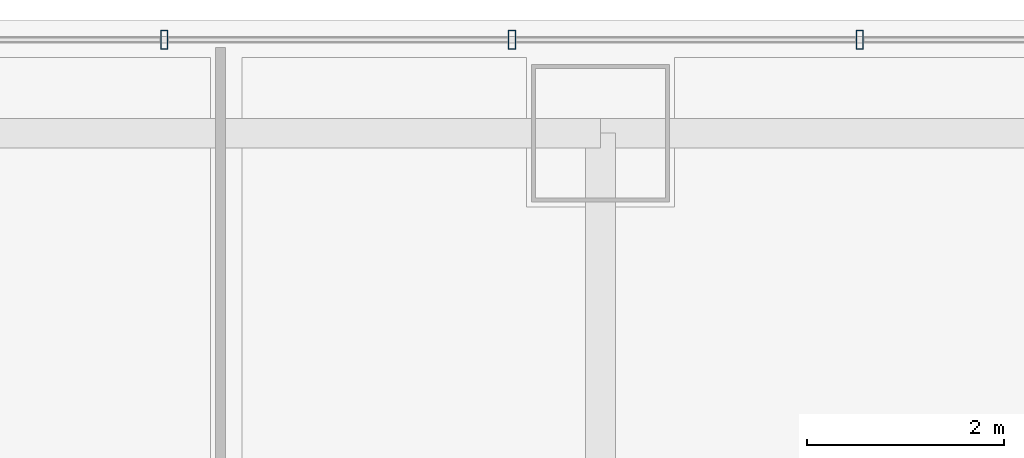
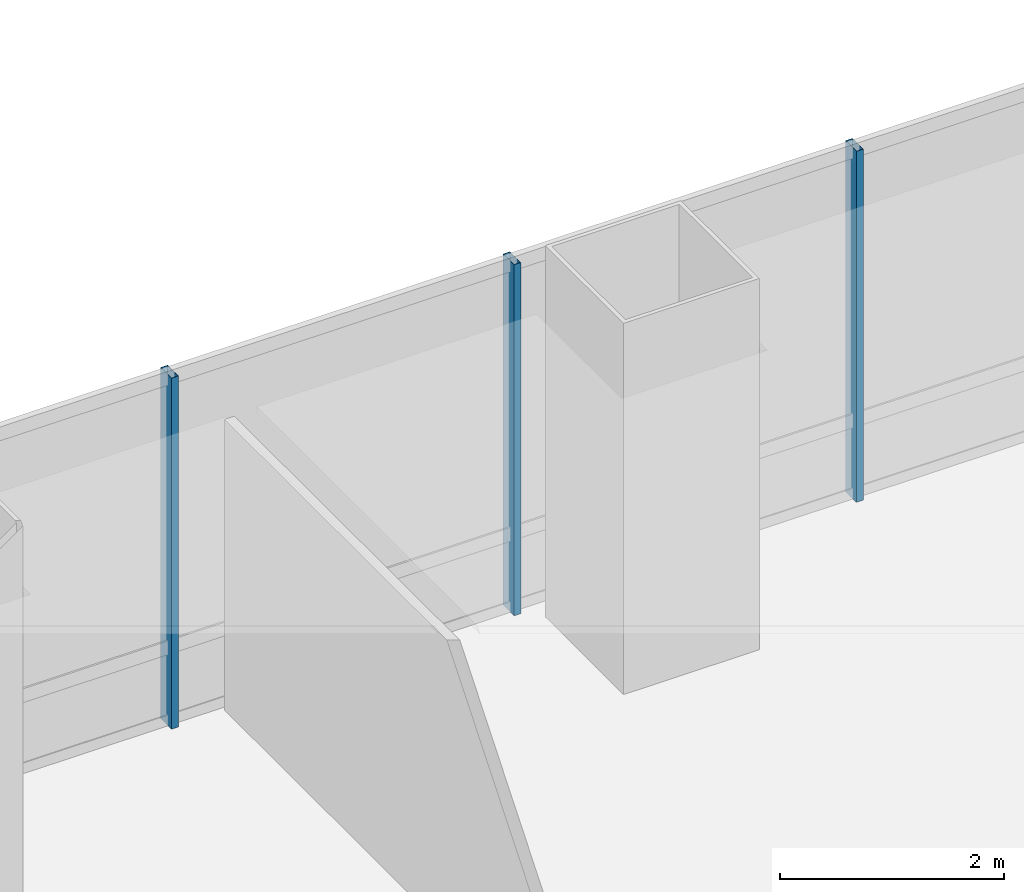
# One storey, part 24 of 37: 3 members, 1 element without a shape of its own.
"""IFC4 building model written with IfcOpenShell, lengths in metres."""

import ifcopenshell
import ifcopenshell.guid

model = None  # the IFC model being written
_history = None  # IfcOwnerHistory: only IFC2X3 demands one
_inside = {}  # id of a spatial element -> (the spatial element, [elements in it])
_under = {}  # id of a project, library or spatial element -> (it, [spatial elements below it])
_declared = {}  # id of a project -> (the project, [libraries it declares])
_typed = {}  # id of a type object -> (the type object, [elements of that type])
_made_of = {}  # id of a material, layer set ... -> (it, [elements and type objects made of it])


def new_model(schema):
    """Start an empty IFC model of exactly this schema.

    Asked for "IFC4X3", IfcOpenShell would pick the latest addendum, in which some entities
    have other attributes; the version numbers below select the first issue.
    IFC2X3 requires an IfcOwnerHistory on every rooted entity: one is made here for all.
    """
    global model, _history
    if schema == "IFC4X3":
        model = ifcopenshell.file(schema_version=(4, 3, 0, 0))
    else:
        model = ifcopenshell.file(schema=schema)
    _inside.clear()
    _under.clear()
    _declared.clear()
    _typed.clear()
    _made_of.clear()
    _history = None
    if model.schema == "IFC2X3":
        org = make("IfcOrganization", Name="unknown")
        user = make(
            "IfcPersonAndOrganization",
            ThePerson=make("IfcPerson", FamilyName="unknown"),
            TheOrganization=org,
        )
        app = make(
            "IfcApplication",
            ApplicationDeveloper=org,
            Version="unknown",
            ApplicationFullName="unknown",
            ApplicationIdentifier="unknown",
        )
        _history = make(
            "IfcOwnerHistory",
            OwningUser=user,
            OwningApplication=app,
            ChangeAction="ADDED",
            CreationDate=0,
        )
    return model


def make(cls, **values):
    """One entity of the class cls with the attributes given. An attribute that is None is left unset."""
    return model.create_entity(
        cls, **{name: value for name, value in values.items() if value is not None}
    )


def rooted(cls, **values):
    """An entity with a GlobalId (a new one), such as an element, a storey or a relation."""
    return make(cls, GlobalId=ifcopenshell.guid.new(), OwnerHistory=_history, **values)


def si_unit(unit_type, name, prefix=None):
    """IfcSIUnit, for example si_unit("LENGTHUNIT", "METRE", prefix="MILLI")."""
    return make("IfcSIUnit", UnitType=unit_type, Prefix=prefix, Name=name)


def assignment(units):
    """IfcUnitAssignment: the units of a project."""
    return None if units is None else make("IfcUnitAssignment", Units=units)


def point(xyz):
    """IfcCartesianPoint."""
    return None if xyz is None else make("IfcCartesianPoint", Coordinates=xyz)


def direction(xyz):
    """IfcDirection."""
    return None if xyz is None else make("IfcDirection", DirectionRatios=xyz)


def frame(location, z_axis=None, x_axis=None):
    """IfcAxis2Placement3D, a coordinate frame: its origin and axes. An axis left out is left unset."""
    return make(
        "IfcAxis2Placement3D",
        Location=point(location),
        Axis=direction(z_axis),
        RefDirection=direction(x_axis),
    )


def frame_2d(location, x_axis=None):
    """IfcAxis2Placement2D, a coordinate frame in the plane: its origin and x axis."""
    return make(
        "IfcAxis2Placement2D", Location=point(location), RefDirection=direction(x_axis)
    )


def origin():
    """The frame at (0, 0, 0) with its axes left unset."""
    return frame((0.0, 0.0, 0.0))


def origin_2d():
    """The frame at (0, 0) in the plane with its x axis left unset."""
    return frame_2d((0.0, 0.0))


def place(relative_to, where):
    """IfcLocalPlacement: puts the frame where relative to a parent placement (None: the world)."""
    return make(
        "IfcLocalPlacement", PlacementRelTo=relative_to, RelativePlacement=where
    )


def context(
    kind, dimensions, precision=None, world=None, true_north=None, identifier=None
):
    """IfcGeometricRepresentationContext, for example the 3D "Model" context."""
    return make(
        "IfcGeometricRepresentationContext",
        ContextIdentifier=identifier,
        ContextType=kind,
        CoordinateSpaceDimension=dimensions,
        Precision=precision,
        WorldCoordinateSystem=world,
        TrueNorth=true_north,
    )


def subcontext(parent, identifier, kind, view, scale=None):
    """IfcGeometricRepresentationSubContext, for example "Body" below "Model"."""
    return make(
        "IfcGeometricRepresentationSubContext",
        ContextIdentifier=identifier,
        ContextType=kind,
        ParentContext=parent,
        TargetScale=scale,
        TargetView=view,
    )


def project(units=None, contexts=None):
    """IfcProject with its units and contexts."""
    return rooted(
        "IfcProject",
        Name="project",
        RepresentationContexts=contexts,
        UnitsInContext=assignment(units),
    )


def spatial(cls, under=None, at=None, **own):
    """A site, building, storey or space (cls), placed at a placement, below another one or the project."""
    s = rooted(cls, ObjectPlacement=at, **own)
    if under is not None:
        _under.setdefault(under.id(), (under, []))[1].append(s)
    return s


def profile(cls, at=None, kind="AREA", **sizes):
    """A parametric profile (cls). Its sizes go by their IFC names, for example OverallWidth=200.0."""
    return make(cls, ProfileType=kind, Position=at, **sizes)


def hollow_rectangle(**sizes):
    """IfcRectangleHollowProfileDef."""
    return profile("IfcRectangleHollowProfileDef", **sizes)


def extrude(swept, where, along, depth):
    """IfcExtrudedAreaSolid: the profile swept, set in the frame where, extruded along a direction by depth."""
    return make(
        "IfcExtrudedAreaSolid",
        SweptArea=swept,
        Position=where,
        ExtrudedDirection=direction(along),
        Depth=depth,
    )


def shape(context_of_items, identifier, shape_type, items):
    """IfcShapeRepresentation: the items that make up one representation, for example the "Body"."""
    return make(
        "IfcShapeRepresentation",
        ContextOfItems=context_of_items,
        RepresentationIdentifier=identifier,
        RepresentationType=shape_type,
        Items=items,
    )


def material(Name=None, Category=None):
    """IfcMaterial."""
    return make("IfcMaterial", Name=Name, Category=Category)


def material_profile(
    of_material, cross_section, Name=None, Category=None, Priority=None
):
    """IfcMaterialProfile: a cross section and its material."""
    return make(
        "IfcMaterialProfile",
        Name=Name,
        Material=of_material,
        Profile=cross_section,
        Priority=Priority,
        Category=Category,
    )


def profile_set(profiles, Name=None, composite=None):
    """IfcMaterialProfileSet."""
    return make(
        "IfcMaterialProfileSet",
        Name=Name,
        MaterialProfiles=profiles,
        CompositeProfile=composite,
    )


def made_of(thing, what):
    """Note that an element or type object is made of a material, layer set ...; save() writes the relation."""
    if what is not None:
        _made_of.setdefault(what.id(), (what, []))[1].append(thing)
    return thing


def type_object(cls, material=None, **own):
    """A type object (cls), such as IfcWallType, which elements share."""
    return made_of(rooted(cls, **own), material)


def element(
    cls,
    number,
    at=None,
    inside=None,
    cuts=None,
    type_object=None,
    material=None,
    context=None,
    identifier="Body",
    shape_type=None,
    held_by="IfcProductDefinitionShape",
    body=None,
    shapes=None,
    **own,
):
    """One element of the class cls, such as IfcWall. Its Tag is "e" and its number.

    at: its placement. inside: the storey or other place that contains it. cuts: it is an
    opening in that element (IfcRelVoidsElement). A single representation is given by context,
    identifier, shape_type and body (its items); several are given by shapes. held_by: the class
    of the entity that holds the representations. save() writes the other relations.
    """
    e = rooted(cls, Tag="e%d" % number, ObjectPlacement=at, **own)
    if body is not None:
        shapes = [shape(context, identifier, shape_type, body)]
    if shapes is not None:
        e.Representation = make(held_by, Representations=shapes)
    if inside is not None:
        _inside.setdefault(inside.id(), (inside, []))[1].append(e)
    if cuts is not None:
        rooted(
            "IfcRelVoidsElement", RelatingBuildingElement=cuts, RelatedOpeningElement=e
        )
    if type_object is not None:
        _typed.setdefault(type_object.id(), (type_object, []))[1].append(e)
    return made_of(e, material)


def aggregate(whole, parts):
    """IfcRelAggregates: a whole, such as a stair, and the parts it consists of."""
    return rooted("IfcRelAggregates", RelatingObject=whole, RelatedObjects=parts)


def save(model, path):
    """Write the relations noted so far, then the file.

    IfcRelAggregates (storeys below a building ...), IfcRelContainedInSpatialStructure (elements
    in a storey), IfcRelDefinesByType, IfcRelAssociatesMaterial and IfcRelDeclares: one each for
    every whole, place, type object, material and project.
    """
    for whole, parts in _under.values():
        aggregate(whole, parts)
    for where, things in _inside.values():
        rooted(
            "IfcRelContainedInSpatialStructure",
            RelatedElements=things,
            RelatingStructure=where,
        )
    for kind, things in _typed.values():
        rooted("IfcRelDefinesByType", RelatedObjects=things, RelatingType=kind)
    for what, things in _made_of.values():
        rooted("IfcRelAssociatesMaterial", RelatedObjects=things, RelatingMaterial=what)
    for by, libraries in _declared.values():
        rooted("IfcRelDeclares", RelatingContext=by, RelatedDefinitions=libraries)
    model.write(path)


model = new_model("IFC4")

# Units and contexts
model_context = context("Model", 3, precision=1e-05, world=origin(), true_north=direction((0.0, 1.0)))
body_context = subcontext(model_context, "Body", "Model", "MODEL_VIEW")
ifc_project = project(units=[si_unit("LENGTHUNIT", "METRE"), si_unit("AREAUNIT", "SQUARE_METRE"), si_unit("VOLUMEUNIT", "CUBIC_METRE"), si_unit("PLANEANGLEUNIT", "RADIAN"), si_unit("MASSUNIT", "GRAM", prefix="KILO")], contexts=[model_context])

# Site, building, storey
site_placement = place(None, origin())
site = spatial("IfcSite", under=ifc_project, at=site_placement, CompositionType="ELEMENT")
building_placement = place(site_placement, origin())
building = spatial("IfcBuilding", under=site, at=building_placement, Name="Punatoya Terracotta Tower", CompositionType="ELEMENT")
storey_placement = place(building_placement, frame((0.0, 0.0, 192.449951171875)))
storey = spatial("IfcBuildingStorey", under=building, at=storey_placement, Name="L45", CompositionType="ELEMENT", Elevation=192.449951171875)

# Curtain wall, members
ifc_material_1 = material(Name="Aluminium 6063-T6 + Double Low-E Glass", Category="aluminium")
curtain_wall_type = type_object("IfcCurtainWallType", Name="CW-M2", PredefinedType="NOTDEFINED", material=ifc_material_1)
curtain_wall_placement = place(storey_placement, origin())
curtain_wall = element("IfcCurtainWall", 1, at=curtain_wall_placement, inside=storey, type_object=curtain_wall_type, Name="L45 Curtain Wall CW-L45-N09-1", PredefinedType="NOTDEFINED")
ifc_material_2 = material(Name="Aluminium 6063-T6", Category="aluminium")
ifc_material_profile = material_profile(ifc_material_2, hollow_rectangle(XDim=0.072021484375, YDim=0.195068359375, WallThickness=0.00439453125, at=origin_2d()))
ifc_profile_set = profile_set([ifc_material_profile], Name="Aluminium 6063-T6")
member_type = type_object("IfcMemberType", Name="CW-MUL-M2", PredefinedType="MULLION", material=ifc_profile_set)
member_1_placement = place(storey_placement, frame((6.43505859375, 18.449951171875, 0.0), z_axis=(0.0, 0.0, 1.0), x_axis=(1.0, 0.0, 0.0)))
member_1 = element("IfcMember", 2, at=member_1_placement, type_object=member_type, Name="CW-L45-N09-1 Mullion 03", PredefinedType="MULLION", context=body_context, shape_type="SweptSolid", body=[
    extrude(hollow_rectangle(XDim=0.072021484375, YDim=0.195068359375, WallThickness=0.00439453125, at=origin_2d()), origin(), (0.0, 0.0, 1.0), 3.830078125),
])
member_2_placement = place(storey_placement, frame((2.90087890625, 18.449951171875, 0.0), z_axis=(0.0, 0.0, 1.0), x_axis=(1.0, 0.0, 0.0)))
member_2 = element("IfcMember", 3, at=member_2_placement, type_object=member_type, Name="CW-L45-N09-1 Mullion 04", PredefinedType="MULLION", context=body_context, shape_type="SweptSolid", body=[
    extrude(hollow_rectangle(XDim=0.072021484375, YDim=0.195068359375, WallThickness=0.00439453125, at=origin_2d()), origin(), (0.0, 0.0, 1.0), 3.830078125),
])
member_3_placement = place(storey_placement, frame((-0.633056640625, 18.449951171875, 0.0), z_axis=(0.0, 0.0, 1.0), x_axis=(1.0, 0.0, 0.0)))
member_3 = element("IfcMember", 4, at=member_3_placement, type_object=member_type, Name="CW-L45-N09-1 Mullion 05", PredefinedType="MULLION", context=body_context, shape_type="SweptSolid", body=[
    extrude(hollow_rectangle(XDim=0.072021484375, YDim=0.195068359375, WallThickness=0.00439453125, at=origin_2d()), origin(), (0.0, 0.0, 1.0), 3.830078125),
])
aggregate(curtain_wall, [member_1, member_2, member_3])

save(model, "model.ifc")
